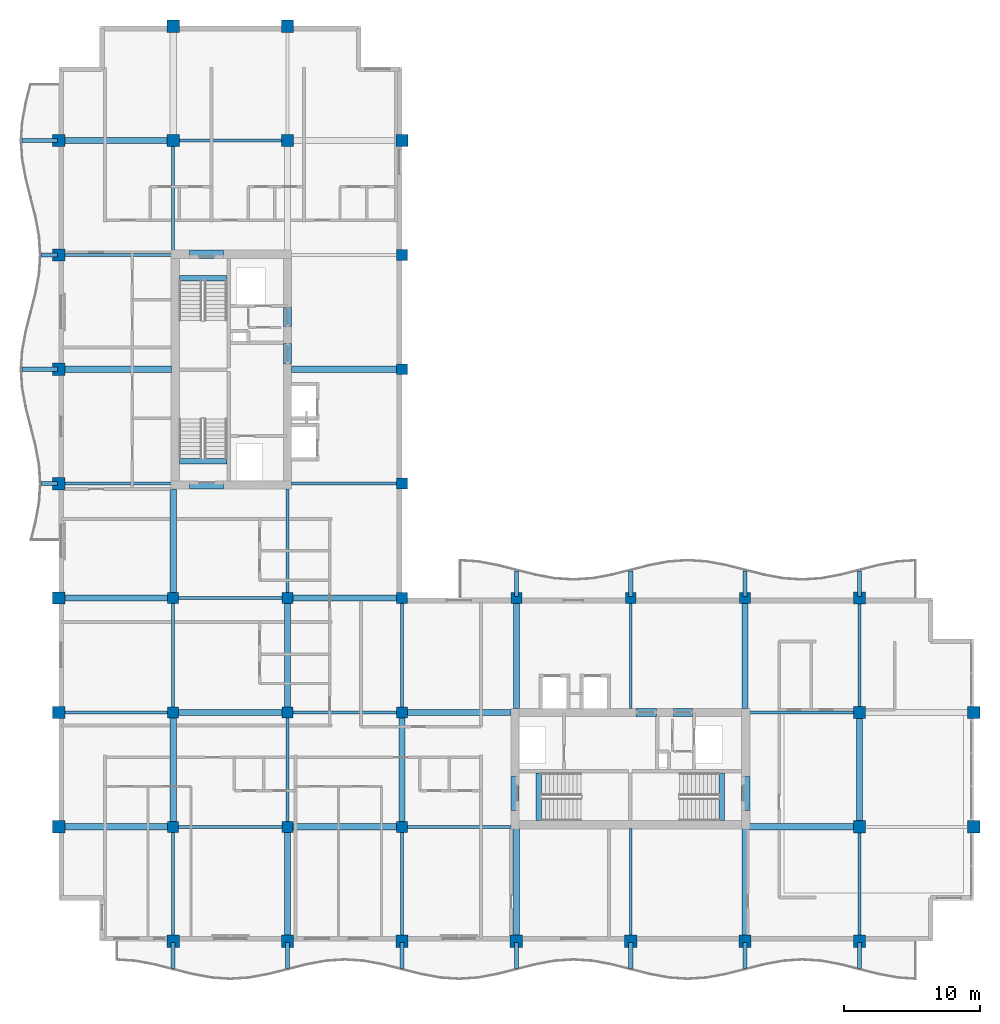
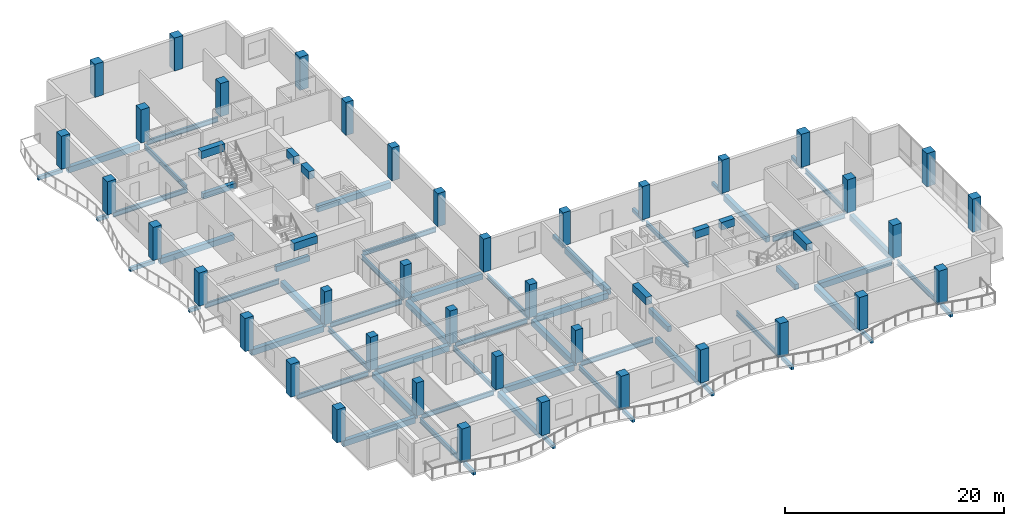
# One storey, part 1 of 16: 68 beams, 39 columns.
"""IFC4 building model written with IfcOpenShell, lengths in metres."""

from ifc_helpers import new_model, si_unit, direction, frame, origin, origin_2d, place, context, subcontext, project, spatial, rectangle, i_section, extrude, material, material_profile, profile_set, type_object, element, save


model = new_model("IFC4")

# Units and contexts
model_context = context("Model", 3, precision=1e-05, world=origin(), true_north=direction((0.0, 1.0)))
body_context = subcontext(model_context, "Body", "Model", "MODEL_VIEW")
ifc_project = project(units=[si_unit("LENGTHUNIT", "METRE"), si_unit("AREAUNIT", "SQUARE_METRE"), si_unit("VOLUMEUNIT", "CUBIC_METRE"), si_unit("PLANEANGLEUNIT", "RADIAN"), si_unit("MASSUNIT", "GRAM", prefix="KILO")], contexts=[model_context])

# Site, building, storey
site_placement = place(None, origin())
site = spatial("IfcSite", under=ifc_project, at=site_placement, CompositionType="ELEMENT")
building_placement = place(site_placement, origin())
building = spatial("IfcBuilding", under=site, at=building_placement, Name="Koriwani Terraces Tower", CompositionType="ELEMENT")
storey_placement = place(building_placement, frame((0.0, 0.0, 260.10009765625)))
storey = spatial("IfcBuildingStorey", under=building, at=storey_placement, Name="L64", CompositionType="ELEMENT", Elevation=260.10009765625)

# Columns
ifc_material_1 = material(Name="Concrete C50/60", Category="concrete")
ifc_material_profile_1 = material_profile(ifc_material_1, rectangle(XDim=0.800048828125, YDim=0.800048828125, at=origin_2d()), Name="Concrete C50/60", Category="LoadBearing")
ifc_profile_set_1 = profile_set([ifc_material_profile_1], Name="Concrete C50/60")
column_type_1 = type_object("IfcColumnType", Name="COL_RC_800X800", PredefinedType="COLUMN", material=ifc_profile_set_1)
for number, where, z_axis, x_axis, name in (
    (1, (16.800048828125, 16.800048828125, 0.0), (0.0, 0.0, 1.0), (1.0, 0.0, 0.0), "L64 Column 3/C"),
    (2, (16.800048828125, 25.199951171875, 0.0), (0.0, 0.0, 1.0), (1.0, 0.0, 0.0), "L64 Column 3/D"),
    (3, (16.800048828125, 33.60009765625, 0.0), (0.0, 0.0, 1.0), (1.0, 0.0, 0.0), "L64 Column 3/E"),
    (4, (25.199951171875, 16.800048828125, 0.0), (0.0, 0.0, 1.0), (1.0, 0.0, 0.0), "L64 Column 4/C"),
    (5, (25.199951171875, 25.199951171875, 0.0), (0.0, 0.0, 1.0), (1.0, 0.0, 0.0), "L64 Column 4/D"),
    (6, (25.199951171875, 33.60009765625, 0.0), (0.0, 0.0, 1.0), (1.0, 0.0, 0.0), "L64 Column 4/E"),
    (7, (33.60009765625, 16.800048828125, 0.0), (0.0, 0.0, 1.0), (1.0, 0.0, 0.0), "L64 Column 5/C"),
    (8, (33.60009765625, 25.199951171875, 0.0), (0.0, 0.0, 1.0), (1.0, 0.0, 0.0), "L64 Column 5/D"),
    (9, (33.60009765625, 33.60009765625, 0.0), (0.0, 0.0, 1.0), (1.0, 0.0, 0.0), "L64 Column 5/E"),
    (10, (33.60009765625, 42.0, 0.0), (0.0, 0.0, 1.0), (1.0, 0.0, 0.0), "L64 Column 5/F"),
    (11, (33.60009765625, 50.39990234375, 0.0), (0.0, 0.0, 1.0), (1.0, 0.0, 0.0), "L64 Column 5/G"),
    (12, (33.60009765625, 58.800048828125, 0.0), (0.0, 0.0, 1.0), (1.0, 0.0, 0.0), "L64 Column 5/H"),
    (13, (42.0, 33.60009765625, 0.0), (0.0, 0.0, 1.0), (1.0, 0.0, 0.0), "L64 Column 6/E"),
    (14, (50.39990234375, 33.60009765625, 0.0), (0.0, 0.0, 1.0), (1.0, 0.0, 0.0), "L64 Column 7/E"),
    (15, (58.800048828125, 33.60009765625, 0.0), (0.0, 0.0, 1.0), (1.0, 0.0, 0.0), "L64 Column 8/E"),
):
    element("IfcColumn", number, at=place(storey_placement, frame(where, z_axis=z_axis, x_axis=x_axis)), inside=storey, type_object=column_type_1, Name=name, PredefinedType="COLUMN", context=body_context, shape_type="SweptSolid", body=[
        extrude(rectangle(XDim=0.800048828125, YDim=0.800048828125, at=origin_2d()), origin(), (0.0, 0.0, 1.0), 3.699951171875),
    ])
ifc_material_profile_2 = material_profile(ifc_material_1, rectangle(XDim=0.89990234375, YDim=0.89990234375, at=origin_2d()), Name="Concrete C50/60", Category="LoadBearing")
ifc_profile_set_2 = profile_set([ifc_material_profile_2], Name="Concrete C50/60")
column_type_2 = type_object("IfcColumnType", Name="COL_RC_900X900", PredefinedType="COLUMN", material=ifc_profile_set_2)
for number, where, z_axis, x_axis, name in (
    (16, (8.39990234375, 16.800048828125, 0.0), (0.0, 0.0, 1.0), (1.0, 0.0, 0.0), "L64 Column 2/C"),
    (17, (8.39990234375, 25.199951171875, 0.0), (0.0, 0.0, 1.0), (1.0, 0.0, 0.0), "L64 Column 2/D"),
    (18, (8.39990234375, 33.60009765625, 0.0), (0.0, 0.0, 1.0), (1.0, 0.0, 0.0), "L64 Column 2/E"),
    (19, (8.39990234375, 42.0, 0.0), (0.0, 0.0, 1.0), (1.0, 0.0, 0.0), "L64 Column 2/F"),
    (20, (8.39990234375, 50.39990234375, 0.0), (0.0, 0.0, 1.0), (1.0, 0.0, 0.0), "L64 Column 2/G"),
    (21, (8.39990234375, 58.800048828125, 0.0), (0.0, 0.0, 1.0), (1.0, 0.0, 0.0), "L64 Column 2/H"),
    (22, (8.39990234375, 67.199951171875, 0.0), (0.0, 0.0, 1.0), (1.0, 0.0, 0.0), "L64 Column 2/I"),
    (23, (16.800048828125, 8.39990234375, 0.0), (0.0, 0.0, 1.0), (1.0, 0.0, 0.0), "L64 Column 3/B"),
    (24, (16.800048828125, 67.199951171875, 0.0), (0.0, 0.0, 1.0), (1.0, 0.0, 0.0), "L64 Column 3/I"),
    (25, (16.800048828125, 75.60009765625, 0.0), (0.0, 0.0, 1.0), (1.0, 0.0, 0.0), "L64 Column 3/J"),
    (26, (25.199951171875, 8.39990234375, 0.0), (0.0, 0.0, 1.0), (1.0, 0.0, 0.0), "L64 Column 4/B"),
    (27, (25.199951171875, 67.199951171875, 0.0), (0.0, 0.0, 1.0), (1.0, 0.0, 0.0), "L64 Column 4/I"),
    (28, (25.199951171875, 75.60009765625, 0.0), (0.0, 0.0, 1.0), (1.0, 0.0, 0.0), "L64 Column 4/J"),
    (29, (33.60009765625, 8.39990234375, 0.0), (0.0, 0.0, 1.0), (1.0, 0.0, 0.0), "L64 Column 5/B"),
    (30, (33.60009765625, 67.199951171875, 0.0), (0.0, 0.0, 1.0), (1.0, 0.0, 0.0), "L64 Column 5/I"),
    (31, (42.0, 8.39990234375, 0.0), (0.0, 0.0, 1.0), (1.0, 0.0, 0.0), "L64 Column 6/B"),
    (32, (50.39990234375, 8.39990234375, 0.0), (0.0, 0.0, 1.0), (1.0, 0.0, 0.0), "L64 Column 7/B"),
    (33, (58.800048828125, 8.39990234375, 0.0), (0.0, 0.0, 1.0), (1.0, 0.0, 0.0), "L64 Column 8/B"),
    (34, (67.199951171875, 8.39990234375, 0.0), (0.0, 0.0, 1.0), (1.0, 0.0, 0.0), "L64 Column 9/B"),
    (35, (67.199951171875, 16.800048828125, 0.0), (0.0, 0.0, 1.0), (1.0, 0.0, 0.0), "L64 Column 9/C"),
    (36, (67.199951171875, 25.199951171875, 0.0), (0.0, 0.0, 1.0), (1.0, 0.0, 0.0), "L64 Column 9/D"),
    (37, (67.199951171875, 33.60009765625, 0.0), (0.0, 0.0, 1.0), (1.0, 0.0, 0.0), "L64 Column 9/E"),
    (38, (75.60009765625, 16.800048828125, 0.0), (0.0, 0.0, 1.0), (1.0, 0.0, 0.0), "L64 Column 10/C"),
    (39, (75.60009765625, 25.199951171875, 0.0), (0.0, 0.0, 1.0), (1.0, 0.0, 0.0), "L64 Column 10/D"),
):
    element("IfcColumn", number, at=place(storey_placement, frame(where, z_axis=z_axis, x_axis=x_axis)), inside=storey, type_object=column_type_2, Name=name, PredefinedType="COLUMN", context=body_context, shape_type="SweptSolid", body=[
        extrude(rectangle(XDim=0.89990234375, YDim=0.89990234375, at=origin_2d()), origin(), (0.0, 0.0, 1.0), 3.699951171875),
    ])

# Beams
ifc_material_2 = material(Name="Concrete C40/50", Category="concrete")
ifc_material_profile_3 = material_profile(ifc_material_2, rectangle(XDim=0.300048828125, YDim=0.39990234375, at=origin_2d()), Name="Concrete C40/50", Category="LoadBearing")
ifc_profile_set_3 = profile_set([ifc_material_profile_3], Name="Concrete C40/50")
beam_type_1 = type_object("IfcBeamType", Name="BEAM_RC_BALCONY_RIB_300X400", PredefinedType="JOIST", material=ifc_profile_set_3)
for number, where, z_axis, x_axis, name in (
    (40, (16.800048828125, 6.409912109375, -0.43017578125), (0.0, 1.0, 0.0), (-1.0, 0.0, 0.0), "L64 Balcony Bracket Rib S-1"),
    (41, (25.199951171875, 6.409912109375, -0.43017578125), (0.0, 1.0, 0.0), (-1.0, 0.0, 0.0), "L64 Balcony Bracket Rib S-2"),
    (42, (33.60009765625, 6.409912109375, -0.43017578125), (0.0, 1.0, 0.0), (-1.0, 0.0, 0.0), "L64 Balcony Bracket Rib S-3"),
    (43, (42.0, 6.409912109375, -0.43017578125), (0.0, 1.0, 0.0), (-1.0, 0.0, 0.0), "L64 Balcony Bracket Rib S-4"),
    (44, (50.39990234375, 6.409912109375, -0.43017578125), (0.0, 1.0, 0.0), (-1.0, 0.0, 0.0), "L64 Balcony Bracket Rib S-5"),
    (45, (58.800048828125, 6.409912109375, -0.43017578125), (0.0, 1.0, 0.0), (-1.0, 0.0, 0.0), "L64 Balcony Bracket Rib S-6"),
    (46, (67.199951171875, 6.409912109375, -0.43017578125), (0.0, 1.0, 0.0), (-1.0, 0.0, 0.0), "L64 Balcony Bracket Rib S-7"),
):
    element("IfcBeam", number, at=place(storey_placement, frame(where, z_axis=z_axis, x_axis=x_axis)), inside=storey, type_object=beam_type_1, Name=name, PredefinedType="JOIST", context=body_context, shape_type="SweptSolid", body=[
        extrude(rectangle(XDim=0.300048828125, YDim=0.39990234375, at=origin_2d()), origin(), (0.0, 0.0, 1.0), 1.89013671875),
    ])
beam_1_placement = place(storey_placement, frame((7.1201171875, 42.0, -0.43017578125), z_axis=(1.0, 0.0, 0.0), x_axis=(0.0, 1.0, 0.0)))
element("IfcBeam", 47, at=beam_1_placement, inside=storey, type_object=beam_type_1, Name="L64 Balcony Bracket Rib W-1", PredefinedType="JOIST", context=body_context, shape_type="SweptSolid", body=[
    extrude(rectangle(XDim=0.300048828125, YDim=0.39990234375, at=origin_2d()), origin(), (0.0, 0.0, 1.0), 1.179931640625),
])
beam_2_placement = place(storey_placement, frame((5.699951171875, 50.39990234375, -0.43017578125), z_axis=(1.0, 0.0, 0.0), x_axis=(0.0, 1.0, 0.0)))
element("IfcBeam", 48, at=beam_2_placement, inside=storey, type_object=beam_type_1, Name="L64 Balcony Bracket Rib W-2", PredefinedType="JOIST", context=body_context, shape_type="SweptSolid", body=[
    extrude(rectangle(XDim=0.300048828125, YDim=0.39990234375, at=origin_2d()), origin(), (0.0, 0.0, 1.0), 2.60009765625),
])
beam_3_placement = place(storey_placement, frame((7.1201171875, 58.800048828125, -0.43017578125), z_axis=(1.0, 0.0, 0.0), x_axis=(0.0, 1.0, 0.0)))
element("IfcBeam", 49, at=beam_3_placement, inside=storey, type_object=beam_type_1, Name="L64 Balcony Bracket Rib W-3", PredefinedType="JOIST", context=body_context, shape_type="SweptSolid", body=[
    extrude(rectangle(XDim=0.300048828125, YDim=0.39990234375, at=origin_2d()), origin(), (0.0, 0.0, 1.0), 1.179931640625),
])
beam_4_placement = place(storey_placement, frame((5.699951171875, 67.199951171875, -0.43017578125), z_axis=(1.0, 0.0, 0.0), x_axis=(0.0, 1.0, 0.0)))
element("IfcBeam", 50, at=beam_4_placement, inside=storey, type_object=beam_type_1, Name="L64 Balcony Bracket Rib W-4", PredefinedType="JOIST", context=body_context, shape_type="SweptSolid", body=[
    extrude(rectangle(XDim=0.300048828125, YDim=0.39990234375, at=origin_2d()), origin(), (0.0, 0.0, 1.0), 2.60009765625),
])
for number, where, z_axis, x_axis, name in (
    (51, (42.0, 33.699951171875, -0.43017578125), (0.0, 1.0, 0.0), (-1.0, 0.0, 0.0), "L64 Balcony Bracket Rib NE-1"),
    (52, (50.39990234375, 33.699951171875, -0.43017578125), (0.0, 1.0, 0.0), (-1.0, 0.0, 0.0), "L64 Balcony Bracket Rib NE-2"),
    (53, (58.800048828125, 33.699951171875, -0.43017578125), (0.0, 1.0, 0.0), (-1.0, 0.0, 0.0), "L64 Balcony Bracket Rib NE-3"),
    (54, (67.199951171875, 33.699951171875, -0.43017578125), (0.0, 1.0, 0.0), (-1.0, 0.0, 0.0), "L64 Balcony Bracket Rib NE-4"),
):
    element("IfcBeam", number, at=place(storey_placement, frame(where, z_axis=z_axis, x_axis=x_axis)), inside=storey, type_object=beam_type_1, Name=name, PredefinedType="JOIST", context=body_context, shape_type="SweptSolid", body=[
        extrude(rectangle(XDim=0.300048828125, YDim=0.39990234375, at=origin_2d()), origin(), (0.0, 0.0, 1.0), 1.89013671875),
    ])
ifc_material_profile_4 = material_profile(ifc_material_1, rectangle(XDim=0.60009765625, YDim=0.85009765625, at=origin_2d()), Name="Concrete C50/60", Category="LoadBearing")
ifc_profile_set_4 = profile_set([ifc_material_profile_4], Name="Concrete C50/60")
beam_type_2 = type_object("IfcBeamType", Name="BEAM_RC_COUPLING_600X850", PredefinedType="LINTEL", material=ifc_profile_set_4)
beam_5_placement = place(storey_placement, frame((25.199951171875, 50.800048828125, 3.044921875), z_axis=(0.0, 1.0, 0.0), x_axis=(-1.0, 0.0, 0.0)))
element("IfcBeam", 55, at=beam_5_placement, inside=storey, type_object=beam_type_2, Name="L64 Core Coupling Lintel Beam WE1", PredefinedType="LINTEL", context=body_context, shape_type="SweptSolid", body=[
    extrude(rectangle(XDim=0.60009765625, YDim=0.85009765625, at=origin_2d()), origin(), (0.0, 0.0, 1.0), 1.47998046875),
])
beam_6_placement = place(storey_placement, frame((25.199951171875, 53.550048828125, 3.044921875), z_axis=(0.0, 1.0, 0.0), x_axis=(-1.0, 0.0, 0.0)))
element("IfcBeam", 56, at=beam_6_placement, inside=storey, type_object=beam_type_2, Name="L64 Core Coupling Lintel Beam WE2", PredefinedType="LINTEL", context=body_context, shape_type="SweptSolid", body=[
    extrude(rectangle(XDim=0.60009765625, YDim=0.85009765625, at=origin_2d()), origin(), (0.0, 0.0, 1.0), 1.39990234375),
])
for number, where, z_axis, x_axis, name in (
    (57, (18.0, 41.89990234375, 3.044921875), (1.0, 0.0, 0.0), (0.0, 1.0, 0.0), "L64 Core Coupling Lintel Beam WS"),
    (58, (18.0, 58.85009765625, 3.044921875), (1.0, 0.0, 0.0), (0.0, 1.0, 0.0), "L64 Core Coupling Lintel Beam WN"),
):
    element("IfcBeam", number, at=place(storey_placement, frame(where, z_axis=z_axis, x_axis=x_axis)), inside=storey, type_object=beam_type_2, Name=name, PredefinedType="LINTEL", context=body_context, shape_type="SweptSolid", body=[
        extrude(rectangle(XDim=0.60009765625, YDim=0.85009765625, at=origin_2d()), origin(), (0.0, 0.0, 1.0), 2.5),
    ])
beam_7_placement = place(storey_placement, frame((50.800048828125, 25.199951171875, 3.044921875), z_axis=(1.0, 0.0, 0.0), x_axis=(0.0, 1.0, 0.0)))
element("IfcBeam", 59, at=beam_7_placement, inside=storey, type_object=beam_type_2, Name="L64 Core Coupling Lintel Beam EN1", PredefinedType="LINTEL", context=body_context, shape_type="SweptSolid", body=[
    extrude(rectangle(XDim=0.60009765625, YDim=0.85009765625, at=origin_2d()), origin(), (0.0, 0.0, 1.0), 1.47998046875),
])
beam_8_placement = place(storey_placement, frame((53.550048828125, 25.199951171875, 3.044921875), z_axis=(1.0, 0.0, 0.0), x_axis=(0.0, 1.0, 0.0)))
element("IfcBeam", 60, at=beam_8_placement, inside=storey, type_object=beam_type_2, Name="L64 Core Coupling Lintel Beam EN2", PredefinedType="LINTEL", context=body_context, shape_type="SweptSolid", body=[
    extrude(rectangle(XDim=0.60009765625, YDim=0.85009765625, at=origin_2d()), origin(), (0.0, 0.0, 1.0), 1.39990234375),
])
for number, where, z_axis, x_axis, name in (
    (61, (41.89990234375, 18.0, 3.044921875), (0.0, 1.0, 0.0), (-1.0, 0.0, 0.0), "L64 Core Coupling Lintel Beam EW"),
    (62, (58.85009765625, 18.0, 3.044921875), (0.0, 1.0, 0.0), (-1.0, 0.0, 0.0), "L64 Core Coupling Lintel Beam EE"),
):
    element("IfcBeam", number, at=place(storey_placement, frame(where, z_axis=z_axis, x_axis=x_axis)), inside=storey, type_object=beam_type_2, Name=name, PredefinedType="LINTEL", context=body_context, shape_type="SweptSolid", body=[
        extrude(rectangle(XDim=0.60009765625, YDim=0.85009765625, at=origin_2d()), origin(), (0.0, 0.0, 1.0), 2.5),
    ])
ifc_material_profile_5 = material_profile(ifc_material_2, rectangle(XDim=0.39990234375, YDim=0.60009765625, at=origin_2d()), Name="Concrete C40/50", Category="LoadBearing")
ifc_profile_set_5 = profile_set([ifc_material_profile_5], Name="Concrete C40/50")
beam_type_3 = type_object("IfcBeamType", Name="BEAM_RC_GRID_400X600", PredefinedType="BEAM", material=ifc_profile_set_5)
for number, where, z_axis, x_axis, name in (
    (63, (17.25, 43.655029296875, -0.300048828125), (1.0, 0.0, 0.0), (0.0, 1.0, 0.0), "L64 Stairwell Header Trimmer Beam ST-W1"),
    (64, (17.25, 57.094970703125, -0.300048828125), (1.0, 0.0, 0.0), (0.0, 1.0, 0.0), "L64 Stairwell Header Trimmer Beam ST-W2"),
    (65, (43.655029296875, 17.25, -0.300048828125), (0.0, 1.0, 0.0), (-1.0, 0.0, 0.0), "L64 Stairwell Header Trimmer Beam ST-E1"),
    (66, (57.094970703125, 17.25, -0.300048828125), (0.0, 1.0, 0.0), (-1.0, 0.0, 0.0), "L64 Stairwell Header Trimmer Beam ST-E2"),
):
    element("IfcBeam", number, at=place(storey_placement, frame(where, z_axis=z_axis, x_axis=x_axis)), inside=storey, type_object=beam_type_3, Name=name, PredefinedType="BEAM", context=body_context, shape_type="SweptSolid", body=[
        extrude(rectangle(XDim=0.39990234375, YDim=0.60009765625, at=origin_2d()), origin(), (0.0, 0.0, 1.0), 3.5),
    ])
ifc_material_profile_6 = material_profile(ifc_material_1, rectangle(XDim=0.449951171875, YDim=0.64990234375, at=origin_2d()), Name="Concrete C50/60", Category="LoadBearing")
ifc_profile_set_6 = profile_set([ifc_material_profile_6], Name="Concrete C50/60")
beam_type_4 = type_object("IfcBeamType", Name="BEAM_RC_GRID_450X650", PredefinedType="BEAM", material=ifc_profile_set_6)
beam_9_placement = place(storey_placement, frame((8.830078125, 16.800048828125, -0.55517578125), z_axis=(1.0, 0.0, 0.0), x_axis=(0.0, 1.0, 0.0)))
element("IfcBeam", 67, at=beam_9_placement, inside=storey, type_object=beam_type_4, Name="L64 Grid Beam C (8.4-16.8m)", PredefinedType="BEAM", context=body_context, shape_type="SweptSolid", body=[
    extrude(rectangle(XDim=0.449951171875, YDim=0.64990234375, at=origin_2d()), origin(), (0.0, 0.0, 1.0), 7.58984375),
])
beam_10_placement = place(storey_placement, frame((25.580078125, 16.800048828125, -0.55517578125), z_axis=(1.0, 0.0, 0.0), x_axis=(0.0, 1.0, 0.0)))
element("IfcBeam", 68, at=beam_10_placement, inside=storey, type_object=beam_type_4, Name="L64 Grid Beam C (25.2-33.6m)", PredefinedType="BEAM", context=body_context, shape_type="SweptSolid", body=[
    extrude(rectangle(XDim=0.449951171875, YDim=0.64990234375, at=origin_2d()), origin(), (0.0, 0.0, 1.0), 7.639892578125),
])
for number, where, z_axis, x_axis, name in (
    (69, (59.1298828125, 16.800048828125, -0.55517578125), (1.0, 0.0, 0.0), (0.0, 1.0, 0.0), "L64 Grid Beam C (58.8-67.2m)"),
    (70, (17.179931640625, 25.199951171875, -0.55517578125), (1.0, 0.0, 0.0), (0.0, 1.0, 0.0), "L64 Grid Beam D (16.8-25.2m)"),
    (71, (33.97998046875, 25.199951171875, -0.55517578125), (1.0, 0.0, 0.0), (0.0, 1.0, 0.0), "L64 Grid Beam D (33.6-42.0m)"),
):
    element("IfcBeam", number, at=place(storey_placement, frame(where, z_axis=z_axis, x_axis=x_axis)), inside=storey, type_object=beam_type_4, Name=name, PredefinedType="BEAM", context=body_context, shape_type="SweptSolid", body=[
        extrude(rectangle(XDim=0.449951171875, YDim=0.64990234375, at=origin_2d()), origin(), (0.0, 0.0, 1.0), 7.64013671875),
    ])
beam_11_placement = place(storey_placement, frame((8.830078125, 33.60009765625, -0.55517578125), z_axis=(1.0, 0.0, 0.0), x_axis=(0.0, 1.0, 0.0)))
element("IfcBeam", 72, at=beam_11_placement, inside=storey, type_object=beam_type_4, Name="L64 Grid Beam E (8.4-16.8m)", PredefinedType="BEAM", context=body_context, shape_type="SweptSolid", body=[
    extrude(rectangle(XDim=0.449951171875, YDim=0.64990234375, at=origin_2d()), origin(), (0.0, 0.0, 1.0), 7.58984375),
])
beam_12_placement = place(storey_placement, frame((25.580078125, 33.60009765625, -0.55517578125), z_axis=(1.0, 0.0, 0.0), x_axis=(0.0, 1.0, 0.0)))
element("IfcBeam", 73, at=beam_12_placement, inside=storey, type_object=beam_type_4, Name="L64 Grid Beam E (25.2-33.6m)", PredefinedType="BEAM", context=body_context, shape_type="SweptSolid", body=[
    extrude(rectangle(XDim=0.449951171875, YDim=0.64990234375, at=origin_2d()), origin(), (0.0, 0.0, 1.0), 7.639892578125),
])
beam_13_placement = place(storey_placement, frame((8.830078125, 50.39990234375, -0.55517578125), z_axis=(1.0, 0.0, 0.0), x_axis=(0.0, 1.0, 0.0)))
element("IfcBeam", 74, at=beam_13_placement, inside=storey, type_object=beam_type_4, Name="L64 Grid Beam G (8.4-16.8m)", PredefinedType="BEAM", context=body_context, shape_type="SweptSolid", body=[
    extrude(rectangle(XDim=0.449951171875, YDim=0.64990234375, at=origin_2d()), origin(), (0.0, 0.0, 1.0), 7.83984375),
])
beam_14_placement = place(storey_placement, frame((25.47998046875, 50.39990234375, -0.55517578125), z_axis=(1.0, 0.0, 0.0), x_axis=(0.0, 1.0, 0.0)))
element("IfcBeam", 75, at=beam_14_placement, inside=storey, type_object=beam_type_4, Name="L64 Grid Beam G (25.2-33.6m)", PredefinedType="BEAM", context=body_context, shape_type="SweptSolid", body=[
    extrude(rectangle(XDim=0.449951171875, YDim=0.64990234375, at=origin_2d()), origin(), (0.0, 0.0, 1.0), 7.739990234375),
])
beam_15_placement = place(storey_placement, frame((8.830078125, 67.199951171875, -0.55517578125), z_axis=(1.0, 0.0, 0.0), x_axis=(0.0, 1.0, 0.0)))
element("IfcBeam", 76, at=beam_15_placement, inside=storey, type_object=beam_type_4, Name="L64 Grid Beam I (8.4-16.8m)", PredefinedType="BEAM", context=body_context, shape_type="SweptSolid", body=[
    extrude(rectangle(XDim=0.449951171875, YDim=0.64990234375, at=origin_2d()), origin(), (0.0, 0.0, 1.0), 7.5400390625),
])
for number, where, z_axis, x_axis, name in (
    (77, (16.800048828125, 17.179931640625, -0.55517578125), (0.0, 1.0, 0.0), (-1.0, 0.0, 0.0), "L64 Grid Beam 3 (16.8-25.2m)"),
    (78, (16.800048828125, 33.97998046875, -0.55517578125), (0.0, 1.0, 0.0), (-1.0, 0.0, 0.0), "L64 Grid Beam 3 (33.6-42.0m)"),
):
    element("IfcBeam", number, at=place(storey_placement, frame(where, z_axis=z_axis, x_axis=x_axis)), inside=storey, type_object=beam_type_4, Name=name, PredefinedType="BEAM", context=body_context, shape_type="SweptSolid", body=[
        extrude(rectangle(XDim=0.449951171875, YDim=0.64990234375, at=origin_2d()), origin(), (0.0, 0.0, 1.0), 7.64013671875),
    ])
beam_16_placement = place(storey_placement, frame((25.199951171875, 8.830078125, -0.55517578125), z_axis=(0.0, 1.0, 0.0), x_axis=(-1.0, 0.0, 0.0)))
element("IfcBeam", 79, at=beam_16_placement, inside=storey, type_object=beam_type_4, Name="L64 Grid Beam 4 (8.4-16.8m)", PredefinedType="BEAM", context=body_context, shape_type="SweptSolid", body=[
    extrude(rectangle(XDim=0.449951171875, YDim=0.64990234375, at=origin_2d()), origin(), (0.0, 0.0, 1.0), 7.58984375),
])
beam_17_placement = place(storey_placement, frame((25.199951171875, 25.580078125, -0.55517578125), z_axis=(0.0, 1.0, 0.0), x_axis=(-1.0, 0.0, 0.0)))
element("IfcBeam", 80, at=beam_17_placement, inside=storey, type_object=beam_type_4, Name="L64 Grid Beam 4 (25.2-33.6m)", PredefinedType="BEAM", context=body_context, shape_type="SweptSolid", body=[
    extrude(rectangle(XDim=0.449951171875, YDim=0.64990234375, at=origin_2d()), origin(), (0.0, 0.0, 1.0), 7.639892578125),
])
beam_18_placement = place(storey_placement, frame((33.60009765625, 17.179931640625, -0.55517578125), z_axis=(0.0, 1.0, 0.0), x_axis=(-1.0, 0.0, 0.0)))
element("IfcBeam", 81, at=beam_18_placement, inside=storey, type_object=beam_type_4, Name="L64 Grid Beam 5 (16.8-25.2m)", PredefinedType="BEAM", context=body_context, shape_type="SweptSolid", body=[
    extrude(rectangle(XDim=0.449951171875, YDim=0.64990234375, at=origin_2d()), origin(), (0.0, 0.0, 1.0), 7.64013671875),
])
beam_19_placement = place(storey_placement, frame((42.0, 8.830078125, -0.55517578125), z_axis=(0.0, 1.0, 0.0), x_axis=(-1.0, 0.0, 0.0)))
element("IfcBeam", 82, at=beam_19_placement, inside=storey, type_object=beam_type_4, Name="L64 Grid Beam 6 (8.4-16.8m)", PredefinedType="BEAM", context=body_context, shape_type="SweptSolid", body=[
    extrude(rectangle(XDim=0.449951171875, YDim=0.64990234375, at=origin_2d()), origin(), (0.0, 0.0, 1.0), 7.83984375),
])
beam_20_placement = place(storey_placement, frame((42.0, 25.47998046875, -0.55517578125), z_axis=(0.0, 1.0, 0.0), x_axis=(-1.0, 0.0, 0.0)))
element("IfcBeam", 83, at=beam_20_placement, inside=storey, type_object=beam_type_4, Name="L64 Grid Beam 6 (25.2-33.6m)", PredefinedType="BEAM", context=body_context, shape_type="SweptSolid", body=[
    extrude(rectangle(XDim=0.449951171875, YDim=0.64990234375, at=origin_2d()), origin(), (0.0, 0.0, 1.0), 7.739990234375),
])
beam_21_placement = place(storey_placement, frame((58.800048828125, 8.830078125, -0.55517578125), z_axis=(0.0, 1.0, 0.0), x_axis=(-1.0, 0.0, 0.0)))
element("IfcBeam", 84, at=beam_21_placement, inside=storey, type_object=beam_type_4, Name="L64 Grid Beam 8 (8.4-16.8m)", PredefinedType="BEAM", context=body_context, shape_type="SweptSolid", body=[
    extrude(rectangle(XDim=0.449951171875, YDim=0.64990234375, at=origin_2d()), origin(), (0.0, 0.0, 1.0), 7.83984375),
])
beam_22_placement = place(storey_placement, frame((58.800048828125, 25.47998046875, -0.55517578125), z_axis=(0.0, 1.0, 0.0), x_axis=(-1.0, 0.0, 0.0)))
element("IfcBeam", 85, at=beam_22_placement, inside=storey, type_object=beam_type_4, Name="L64 Grid Beam 8 (25.2-33.6m)", PredefinedType="BEAM", context=body_context, shape_type="SweptSolid", body=[
    extrude(rectangle(XDim=0.449951171875, YDim=0.64990234375, at=origin_2d()), origin(), (0.0, 0.0, 1.0), 7.739990234375),
])
beam_23_placement = place(storey_placement, frame((67.199951171875, 17.22998046875, -0.55517578125), z_axis=(0.0, 1.0, 0.0), x_axis=(-1.0, 0.0, 0.0)))
element("IfcBeam", 86, at=beam_23_placement, inside=storey, type_object=beam_type_4, Name="L64 Grid Beam 9 (16.8-25.2m)", PredefinedType="BEAM", context=body_context, shape_type="SweptSolid", body=[
    extrude(rectangle(XDim=0.449951171875, YDim=0.64990234375, at=origin_2d()), origin(), (0.0, 0.0, 1.0), 7.5400390625),
])
ifc_material_3 = material(Name="Steel ASTM A572 Grade 50", Category="steel")
ifc_material_profile_7 = material_profile(ifc_material_3, i_section(OverallWidth=0.2119140625, OverallDepth=0.54296875, WebThickness=0.0126953125, FlangeThickness=0.021240234375, at=origin_2d()), Name="Steel ASTM A572 Grade 50", Category="LoadBearing")
ifc_profile_set_7 = profile_set([ifc_material_profile_7], Name="Steel ASTM A572 Grade 50")
beam_type_5 = type_object("IfcBeamType", Name="STEEL_BEAM_W530X150", PredefinedType="BEAM", material=ifc_profile_set_7)
for number, where, z_axis, x_axis, name in (
    (87, (17.179931640625, 16.800048828125, -0.501708984375), (1.0, 0.0, 0.0), (0.0, 1.0, 0.0), "L64 Grid Beam C (16.8-25.2m)"),
    (88, (33.97998046875, 16.800048828125, -0.501708984375), (1.0, 0.0, 0.0), (0.0, 1.0, 0.0), "L64 Grid Beam C (33.6-42.0m)"),
):
    element("IfcBeam", number, at=place(storey_placement, frame(where, z_axis=z_axis, x_axis=x_axis)), inside=storey, type_object=beam_type_5, Name=name, PredefinedType="BEAM", context=body_context, shape_type="SweptSolid", body=[
        extrude(i_section(OverallWidth=0.2119140625, OverallDepth=0.54296875, WebThickness=0.0126953125, FlangeThickness=0.021240234375, at=origin_2d()), origin(), (0.0, 0.0, 1.0), 7.64013671875),
    ])
beam_24_placement = place(storey_placement, frame((8.830078125, 25.199951171875, -0.501708984375), z_axis=(1.0, 0.0, 0.0), x_axis=(0.0, 1.0, 0.0)))
element("IfcBeam", 89, at=beam_24_placement, inside=storey, type_object=beam_type_5, Name="L64 Grid Beam D (8.4-16.8m)", PredefinedType="BEAM", context=body_context, shape_type="SweptSolid", body=[
    extrude(i_section(OverallWidth=0.2119140625, OverallDepth=0.54296875, WebThickness=0.0126953125, FlangeThickness=0.021240234375, at=origin_2d()), origin(), (0.0, 0.0, 1.0), 7.58984375),
])
beam_25_placement = place(storey_placement, frame((25.580078125, 25.199951171875, -0.501708984375), z_axis=(1.0, 0.0, 0.0), x_axis=(0.0, 1.0, 0.0)))
element("IfcBeam", 90, at=beam_25_placement, inside=storey, type_object=beam_type_5, Name="L64 Grid Beam D (25.2-33.6m)", PredefinedType="BEAM", context=body_context, shape_type="SweptSolid", body=[
    extrude(i_section(OverallWidth=0.2119140625, OverallDepth=0.54296875, WebThickness=0.0126953125, FlangeThickness=0.021240234375, at=origin_2d()), origin(), (0.0, 0.0, 1.0), 7.639892578125),
])
for number, where, z_axis, x_axis, name in (
    (91, (59.1298828125, 25.199951171875, -0.501708984375), (1.0, 0.0, 0.0), (0.0, 1.0, 0.0), "L64 Grid Beam D (58.8-67.2m)"),
    (92, (17.179931640625, 33.60009765625, -0.501708984375), (1.0, 0.0, 0.0), (0.0, 1.0, 0.0), "L64 Grid Beam E (16.8-25.2m)"),
):
    element("IfcBeam", number, at=place(storey_placement, frame(where, z_axis=z_axis, x_axis=x_axis)), inside=storey, type_object=beam_type_5, Name=name, PredefinedType="BEAM", context=body_context, shape_type="SweptSolid", body=[
        extrude(i_section(OverallWidth=0.2119140625, OverallDepth=0.54296875, WebThickness=0.0126953125, FlangeThickness=0.021240234375, at=origin_2d()), origin(), (0.0, 0.0, 1.0), 7.64013671875),
    ])
beam_26_placement = place(storey_placement, frame((8.830078125, 42.0, -0.501708984375), z_axis=(1.0, 0.0, 0.0), x_axis=(0.0, 1.0, 0.0)))
element("IfcBeam", 93, at=beam_26_placement, inside=storey, type_object=beam_type_5, Name="L64 Grid Beam F (8.4-16.8m)", PredefinedType="BEAM", context=body_context, shape_type="SweptSolid", body=[
    extrude(i_section(OverallWidth=0.2119140625, OverallDepth=0.54296875, WebThickness=0.0126953125, FlangeThickness=0.021240234375, at=origin_2d()), origin(), (0.0, 0.0, 1.0), 7.83984375),
])
beam_27_placement = place(storey_placement, frame((25.47998046875, 42.0, -0.501708984375), z_axis=(1.0, 0.0, 0.0), x_axis=(0.0, 1.0, 0.0)))
element("IfcBeam", 94, at=beam_27_placement, inside=storey, type_object=beam_type_5, Name="L64 Grid Beam F (25.2-33.6m)", PredefinedType="BEAM", context=body_context, shape_type="SweptSolid", body=[
    extrude(i_section(OverallWidth=0.2119140625, OverallDepth=0.54296875, WebThickness=0.0126953125, FlangeThickness=0.021240234375, at=origin_2d()), origin(), (0.0, 0.0, 1.0), 7.739990234375),
])
beam_28_placement = place(storey_placement, frame((8.830078125, 58.800048828125, -0.501708984375), z_axis=(1.0, 0.0, 0.0), x_axis=(0.0, 1.0, 0.0)))
element("IfcBeam", 95, at=beam_28_placement, inside=storey, type_object=beam_type_5, Name="L64 Grid Beam H (8.4-16.8m)", PredefinedType="BEAM", context=body_context, shape_type="SweptSolid", body=[
    extrude(i_section(OverallWidth=0.2119140625, OverallDepth=0.54296875, WebThickness=0.0126953125, FlangeThickness=0.021240234375, at=origin_2d()), origin(), (0.0, 0.0, 1.0), 7.83984375),
])
beam_29_placement = place(storey_placement, frame((17.22998046875, 67.199951171875, -0.501708984375), z_axis=(1.0, 0.0, 0.0), x_axis=(0.0, 1.0, 0.0)))
element("IfcBeam", 96, at=beam_29_placement, inside=storey, type_object=beam_type_5, Name="L64 Grid Beam I (16.8-25.2m)", PredefinedType="BEAM", context=body_context, shape_type="SweptSolid", body=[
    extrude(i_section(OverallWidth=0.2119140625, OverallDepth=0.54296875, WebThickness=0.0126953125, FlangeThickness=0.021240234375, at=origin_2d()), origin(), (0.0, 0.0, 1.0), 7.5400390625),
])
beam_30_placement = place(storey_placement, frame((16.800048828125, 8.830078125, -0.501708984375), z_axis=(0.0, 1.0, 0.0), x_axis=(-1.0, 0.0, 0.0)))
element("IfcBeam", 97, at=beam_30_placement, inside=storey, type_object=beam_type_5, Name="L64 Grid Beam 3 (8.4-16.8m)", PredefinedType="BEAM", context=body_context, shape_type="SweptSolid", body=[
    extrude(i_section(OverallWidth=0.2119140625, OverallDepth=0.54296875, WebThickness=0.0126953125, FlangeThickness=0.021240234375, at=origin_2d()), origin(), (0.0, 0.0, 1.0), 7.58984375),
])
beam_31_placement = place(storey_placement, frame((16.800048828125, 25.580078125, -0.501708984375), z_axis=(0.0, 1.0, 0.0), x_axis=(-1.0, 0.0, 0.0)))
element("IfcBeam", 98, at=beam_31_placement, inside=storey, type_object=beam_type_5, Name="L64 Grid Beam 3 (25.2-33.6m)", PredefinedType="BEAM", context=body_context, shape_type="SweptSolid", body=[
    extrude(i_section(OverallWidth=0.2119140625, OverallDepth=0.54296875, WebThickness=0.0126953125, FlangeThickness=0.021240234375, at=origin_2d()), origin(), (0.0, 0.0, 1.0), 7.639892578125),
])
for number, where, z_axis, x_axis, name in (
    (99, (16.800048828125, 59.1298828125, -0.501708984375), (0.0, 1.0, 0.0), (-1.0, 0.0, 0.0), "L64 Grid Beam 3 (58.8-67.2m)"),
    (100, (25.199951171875, 17.179931640625, -0.501708984375), (0.0, 1.0, 0.0), (-1.0, 0.0, 0.0), "L64 Grid Beam 4 (16.8-25.2m)"),
    (101, (25.199951171875, 33.97998046875, -0.501708984375), (0.0, 1.0, 0.0), (-1.0, 0.0, 0.0), "L64 Grid Beam 4 (33.6-42.0m)"),
):
    element("IfcBeam", number, at=place(storey_placement, frame(where, z_axis=z_axis, x_axis=x_axis)), inside=storey, type_object=beam_type_5, Name=name, PredefinedType="BEAM", context=body_context, shape_type="SweptSolid", body=[
        extrude(i_section(OverallWidth=0.2119140625, OverallDepth=0.54296875, WebThickness=0.0126953125, FlangeThickness=0.021240234375, at=origin_2d()), origin(), (0.0, 0.0, 1.0), 7.64013671875),
    ])
beam_32_placement = place(storey_placement, frame((33.60009765625, 8.830078125, -0.501708984375), z_axis=(0.0, 1.0, 0.0), x_axis=(-1.0, 0.0, 0.0)))
element("IfcBeam", 102, at=beam_32_placement, inside=storey, type_object=beam_type_5, Name="L64 Grid Beam 5 (8.4-16.8m)", PredefinedType="BEAM", context=body_context, shape_type="SweptSolid", body=[
    extrude(i_section(OverallWidth=0.2119140625, OverallDepth=0.54296875, WebThickness=0.0126953125, FlangeThickness=0.021240234375, at=origin_2d()), origin(), (0.0, 0.0, 1.0), 7.58984375),
])
beam_33_placement = place(storey_placement, frame((33.60009765625, 25.580078125, -0.501708984375), z_axis=(0.0, 1.0, 0.0), x_axis=(-1.0, 0.0, 0.0)))
element("IfcBeam", 103, at=beam_33_placement, inside=storey, type_object=beam_type_5, Name="L64 Grid Beam 5 (25.2-33.6m)", PredefinedType="BEAM", context=body_context, shape_type="SweptSolid", body=[
    extrude(i_section(OverallWidth=0.2119140625, OverallDepth=0.54296875, WebThickness=0.0126953125, FlangeThickness=0.021240234375, at=origin_2d()), origin(), (0.0, 0.0, 1.0), 7.639892578125),
])
beam_34_placement = place(storey_placement, frame((50.39990234375, 8.830078125, -0.501708984375), z_axis=(0.0, 1.0, 0.0), x_axis=(-1.0, 0.0, 0.0)))
element("IfcBeam", 104, at=beam_34_placement, inside=storey, type_object=beam_type_5, Name="L64 Grid Beam 7 (8.4-16.8m)", PredefinedType="BEAM", context=body_context, shape_type="SweptSolid", body=[
    extrude(i_section(OverallWidth=0.2119140625, OverallDepth=0.54296875, WebThickness=0.0126953125, FlangeThickness=0.021240234375, at=origin_2d()), origin(), (0.0, 0.0, 1.0), 7.83984375),
])
beam_35_placement = place(storey_placement, frame((50.39990234375, 25.47998046875, -0.501708984375), z_axis=(0.0, 1.0, 0.0), x_axis=(-1.0, 0.0, 0.0)))
element("IfcBeam", 105, at=beam_35_placement, inside=storey, type_object=beam_type_5, Name="L64 Grid Beam 7 (25.2-33.6m)", PredefinedType="BEAM", context=body_context, shape_type="SweptSolid", body=[
    extrude(i_section(OverallWidth=0.2119140625, OverallDepth=0.54296875, WebThickness=0.0126953125, FlangeThickness=0.021240234375, at=origin_2d()), origin(), (0.0, 0.0, 1.0), 7.739990234375),
])
for number, where, z_axis, x_axis, name in (
    (106, (67.199951171875, 8.830078125, -0.501708984375), (0.0, 1.0, 0.0), (-1.0, 0.0, 0.0), "L64 Grid Beam 9 (8.4-16.8m)"),
    (107, (67.199951171875, 25.6298828125, -0.501708984375), (0.0, 1.0, 0.0), (-1.0, 0.0, 0.0), "L64 Grid Beam 9 (25.2-33.6m)"),
):
    element("IfcBeam", number, at=place(storey_placement, frame(where, z_axis=z_axis, x_axis=x_axis)), inside=storey, type_object=beam_type_5, Name=name, PredefinedType="BEAM", context=body_context, shape_type="SweptSolid", body=[
        extrude(i_section(OverallWidth=0.2119140625, OverallDepth=0.54296875, WebThickness=0.0126953125, FlangeThickness=0.021240234375, at=origin_2d()), origin(), (0.0, 0.0, 1.0), 7.5400390625),
    ])

save(model, "model.ifc")
